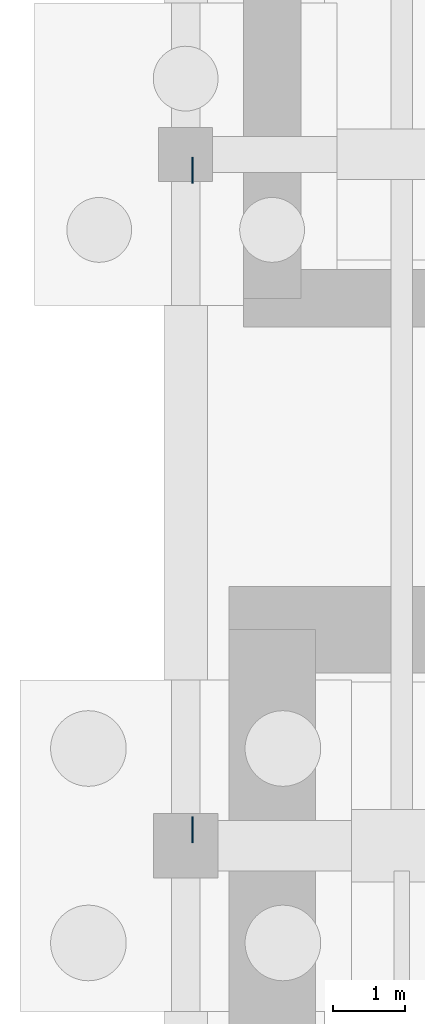
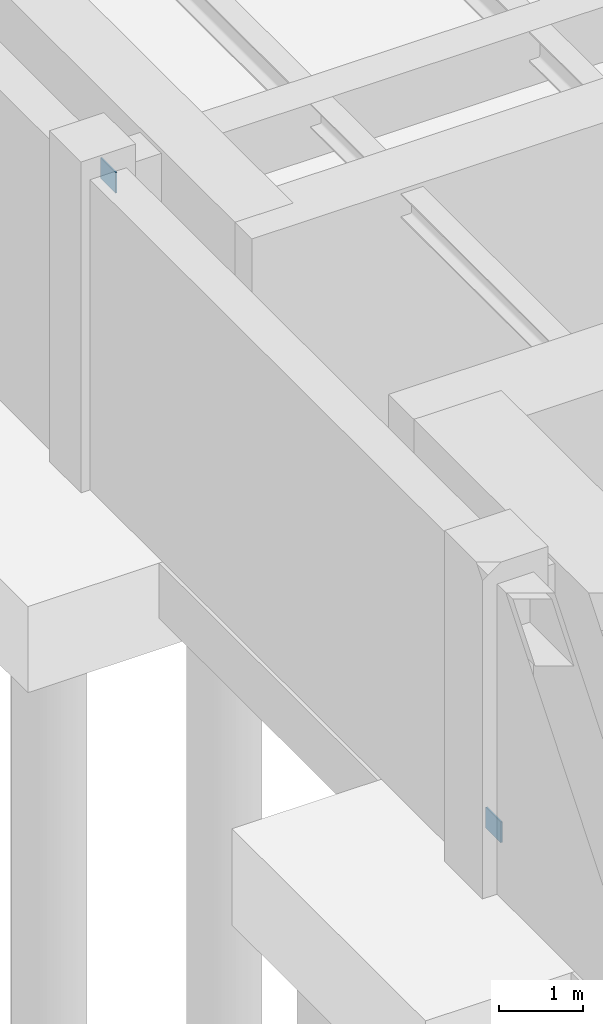
# One storey, part 39 of 59: 2 plates.
"""IFC4 building model written with IfcOpenShell, lengths in metres."""

from ifc_helpers import new_model, si_unit, direction, frame, origin, origin_2d, place, context, subcontext, project, spatial, rectangle, extrude, material, layer, layer_set, type_object, element, save


model = new_model("IFC4")

# Units and contexts
model_context = context("Model", 3, precision=1e-05, world=origin(), true_north=direction((0.0, 1.0)))
body_context = subcontext(model_context, "Body", "Model", "MODEL_VIEW")
ifc_project = project(units=[si_unit("LENGTHUNIT", "METRE"), si_unit("AREAUNIT", "SQUARE_METRE"), si_unit("VOLUMEUNIT", "CUBIC_METRE"), si_unit("PLANEANGLEUNIT", "RADIAN"), si_unit("MASSUNIT", "GRAM", prefix="KILO")], contexts=[model_context])

# Site, building, storey
site_placement = place(None, origin())
site = spatial("IfcSite", under=ifc_project, at=site_placement, CompositionType="ELEMENT")
building_placement = place(site_placement, origin())
building = spatial("IfcBuilding", under=site, at=building_placement, Name="Montealbar Specialist Clinic", CompositionType="ELEMENT")
storey_placement = place(building_placement, frame((0.0, 0.0, -4.800048828125)))
storey = spatial("IfcBuildingStorey", under=building, at=storey_placement, Name="B01", CompositionType="ELEMENT", Elevation=-4.800048828125)

# Plates
ifc_material = material(Name="Steel S355", Category="steel")
ifc_layer = layer(ifc_material, 0.02001953125, Name="Steel S355", Category="steel")
ifc_layer_set = layer_set([ifc_layer], Name="Steel S355")
plate_type = type_object("IfcPlateType", Name="PL-GUSSET-20-EXT", PredefinedType="SHEET", material=ifc_layer_set)
for number, where, z_axis, x_axis, name in (
    (1, (0.094970703125, 71.6201171875, 0.330078125), (0.0, 0.0, 1.0), (0.0, 1.0, 0.0), "Lateral brace gusset plate LB-01-B"),
    (2, (0.094970703125, 80.780029296875, 4.2001953125), (0.0, 0.0, 1.0), (0.0, 1.0, 0.0), "Lateral brace gusset plate LB-01-T"),
):
    element("IfcPlate", number, at=place(storey_placement, frame(where, z_axis=z_axis, x_axis=x_axis)), inside=storey, type_object=plate_type, Name=name, PredefinedType="SHEET", context=body_context, shape_type="SweptSolid", body=[
        extrude(rectangle(XDim=0.360107421875, YDim=0.02001953125, at=origin_2d()), origin(), (0.0, 0.0, 1.0), 0.300048828125),
    ])

save(model, "model.ifc")
